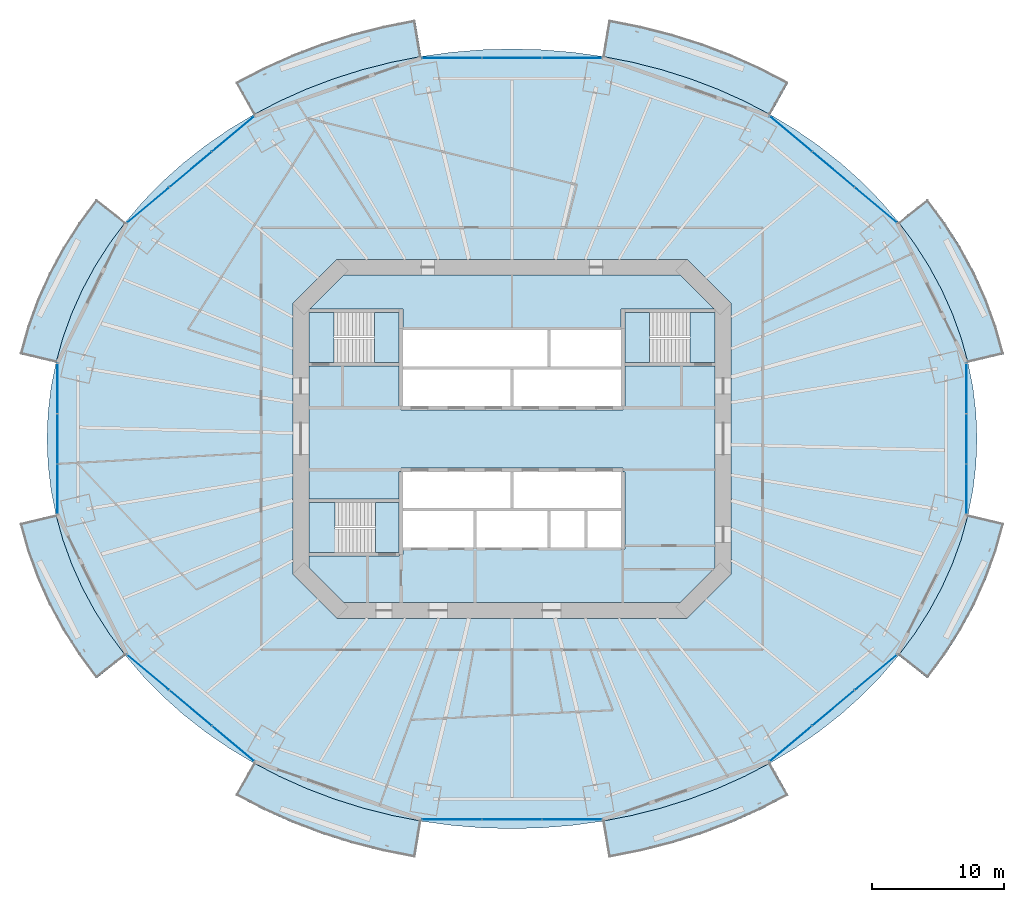
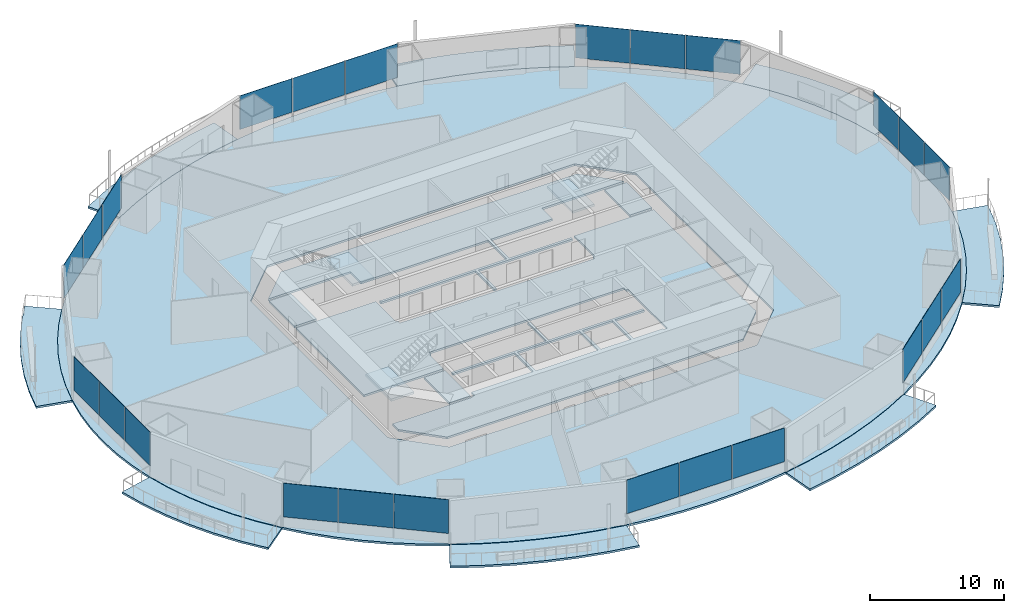
# One storey, part 12 of 22: 24 plates, 17 slabs, 11 elements without a shape of their own.
"""IFC4 building model written with IfcOpenShell, lengths in metres."""

from ifc_helpers import new_model, si_unit, direction, frame, origin, origin_2d, place, context, subcontext, project, spatial, polyline, rectangle, outline, extrude, material, layer, layer_set, type_object, element, aggregate, save


model = new_model("IFC4")

# Units and contexts
model_context = context("Model", 3, precision=1e-05, world=origin(), true_north=direction((0.0, 1.0)))
body_context = subcontext(model_context, "Body", "Model", "MODEL_VIEW")
ifc_project = project(units=[si_unit("LENGTHUNIT", "METRE"), si_unit("AREAUNIT", "SQUARE_METRE"), si_unit("VOLUMEUNIT", "CUBIC_METRE"), si_unit("PLANEANGLEUNIT", "RADIAN"), si_unit("MASSUNIT", "GRAM", prefix="KILO")], contexts=[model_context])

# Site, building, storey
site_placement = place(None, origin())
site = spatial("IfcSite", under=ifc_project, at=site_placement, CompositionType="ELEMENT")
building_placement = place(site_placement, origin())
building = spatial("IfcBuilding", under=site, at=building_placement, Name="Marenthal Gate Tower", CompositionType="ELEMENT")
storey_placement = place(building_placement, frame((0.0, 0.0, 91.10009765625)))
storey = spatial("IfcBuildingStorey", under=building, at=storey_placement, Name="L18", CompositionType="ELEMENT", Elevation=91.10009765625)

# Slabs
ifc_material_1 = material(Name="Concrete 40 MPa", Category="concrete")
ifc_layer_1 = layer(ifc_material_1, 0.179931640625)
ifc_layer_set_1 = layer_set([ifc_layer_1], Name="Balcony deck 180")
slab_type_1 = type_object("IfcSlabType", Name="Balcony deck 180", PredefinedType="USERDEFINED", material=ifc_layer_set_1)
slab_1_placement = place(storey_placement, frame((0.0, 0.0, -0.22021484375)))
element("IfcSlab", 1, at=slab_1_placement, inside=storey, type_object=slab_type_1, Name="Balcony deck L18 bay 1", ObjectType="BALCONY", PredefinedType="USERDEFINED", context=body_context, shape_type="SweptSolid", body=[
    extrude(outline(polyline([(34.553955078125, 5.7626953125), (34.030517578125, 7.64501953125), (33.361328125, 9.49462890625), (32.54931640625, 11.3037109375), (31.59765625, 13.064208984375), (30.510986328125, 14.76904296875), (29.29345703125, 16.410400390625), (31.483154296875, 18.155517578125), (32.81689453125, 16.35693359375), (34.01123046875, 14.48388671875), (35.0595703125, 12.5439453125), (35.95654296875, 10.54541015625), (36.697509765625, 8.497314453125), (37.2783203125, 6.408935546875), (34.553955078125, 5.7626953125)])), origin(), (0.0, 0.0, 1.0), 0.18017578125),
])
slab_2_placement = place(storey_placement, frame((0.0, 0.0, -0.22021484375)))
element("IfcSlab", 2, at=slab_2_placement, inside=storey, type_object=slab_type_1, Name="Balcony deck L18 bay 3", ObjectType="BALCONY", PredefinedType="USERDEFINED", context=body_context, shape_type="SweptSolid", body=[
    extrude(outline(polyline([(19.5732421875, 24.559814453125), (17.615478515625, 25.580810546875), (15.582275390625, 26.49169921875), (13.482421875, 27.28955078125), (11.32470703125, 27.970458984375), (9.118408203125, 28.531494140625), (6.873291015625, 28.970458984375), (7.333740234375, 31.732177734375), (9.732177734375, 31.263427734375), (12.091064453125, 30.66357421875), (14.40087890625, 29.9345703125), (16.652099609375, 29.079345703125), (18.83544921875, 28.10107421875), (20.94189453125, 27.002685546875), (19.5732421875, 24.559814453125)])), origin(), (0.0, 0.0, 1.0), 0.18017578125),
])
slab_3_placement = place(storey_placement, frame((0.0, 0.0, -0.22021484375)))
element("IfcSlab", 3, at=slab_3_placement, inside=storey, type_object=slab_type_1, Name="Balcony deck L18 bay 5", ObjectType="BALCONY", PredefinedType="USERDEFINED", context=body_context, shape_type="SweptSolid", body=[
    extrude(outline(polyline([(-6.873291015625, 28.970458984375), (-9.118408203125, 28.531494140625), (-11.32470703125, 27.970458984375), (-13.482421875, 27.28955078125), (-15.582275390625, 26.49169921875), (-17.615478515625, 25.580810546875), (-19.5732421875, 24.559814453125), (-20.94189453125, 27.002685546875), (-18.83544921875, 28.10107421875), (-16.652099609375, 29.079345703125), (-14.40087890625, 29.9345703125), (-12.091064453125, 30.66357421875), (-9.732177734375, 31.263427734375), (-7.333740234375, 31.732177734375), (-6.873291015625, 28.970458984375)])), origin(), (0.0, 0.0, 1.0), 0.18017578125),
])
slab_4_placement = place(storey_placement, frame((0.0, 0.0, -0.22021484375)))
element("IfcSlab", 4, at=slab_4_placement, inside=storey, type_object=slab_type_1, Name="Balcony deck L18 bay 7", ObjectType="BALCONY", PredefinedType="USERDEFINED", context=body_context, shape_type="SweptSolid", body=[
    extrude(outline(polyline([(-29.29345703125, 16.410400390625), (-30.510986328125, 14.76904296875), (-31.59765625, 13.064208984375), (-32.54931640625, 11.3037109375), (-33.361328125, 9.49462890625), (-34.030517578125, 7.64501953125), (-34.553955078125, 5.7626953125), (-37.2783203125, 6.408935546875), (-36.697509765625, 8.497314453125), (-35.95654296875, 10.54541015625), (-35.0595703125, 12.5439453125), (-34.01123046875, 14.48388671875), (-32.81689453125, 16.35693359375), (-31.483154296875, 18.155517578125), (-29.29345703125, 16.410400390625)])), origin(), (0.0, 0.0, 1.0), 0.18017578125),
])
slab_5_placement = place(storey_placement, frame((0.0, 0.0, -0.22021484375)))
element("IfcSlab", 5, at=slab_5_placement, inside=storey, type_object=slab_type_1, Name="Balcony deck L18 bay 9", ObjectType="BALCONY", PredefinedType="USERDEFINED", context=body_context, shape_type="SweptSolid", body=[
    extrude(outline(polyline([(-34.553955078125, -5.7626953125), (-34.030517578125, -7.64501953125), (-33.361328125, -9.49462890625), (-32.54931640625, -11.3037109375), (-31.59765625, -13.064208984375), (-30.510986328125, -14.76904296875), (-29.29345703125, -16.410400390625), (-31.483154296875, -18.155517578125), (-32.81689453125, -16.35693359375), (-34.01123046875, -14.48388671875), (-35.0595703125, -12.5439453125), (-35.95654296875, -10.54541015625), (-36.697509765625, -8.497314453125), (-37.2783203125, -6.408935546875), (-34.553955078125, -5.7626953125)])), origin(), (0.0, 0.0, 1.0), 0.18017578125),
])
slab_6_placement = place(storey_placement, frame((0.0, 0.0, -0.22021484375)))
element("IfcSlab", 6, at=slab_6_placement, inside=storey, type_object=slab_type_1, Name="Balcony deck L18 bay 11", ObjectType="BALCONY", PredefinedType="USERDEFINED", context=body_context, shape_type="SweptSolid", body=[
    extrude(outline(polyline([(-19.5732421875, -24.559814453125), (-17.615478515625, -25.580810546875), (-15.582275390625, -26.49169921875), (-13.482421875, -27.28955078125), (-11.32470703125, -27.970458984375), (-9.118408203125, -28.531494140625), (-6.873291015625, -28.970458984375), (-7.333740234375, -31.732177734375), (-9.732177734375, -31.263427734375), (-12.091064453125, -30.66357421875), (-14.40087890625, -29.9345703125), (-16.652099609375, -29.079345703125), (-18.83544921875, -28.10107421875), (-20.94189453125, -27.002685546875), (-19.5732421875, -24.559814453125)])), origin(), (0.0, 0.0, 1.0), 0.18017578125),
])
slab_7_placement = place(storey_placement, frame((0.0, 0.0, -0.22021484375)))
element("IfcSlab", 7, at=slab_7_placement, inside=storey, type_object=slab_type_1, Name="Balcony deck L18 bay 13", ObjectType="BALCONY", PredefinedType="USERDEFINED", context=body_context, shape_type="SweptSolid", body=[
    extrude(outline(polyline([(6.873291015625, -28.970458984375), (9.118408203125, -28.531494140625), (11.32470703125, -27.970458984375), (13.482421875, -27.28955078125), (15.582275390625, -26.49169921875), (17.615478515625, -25.580810546875), (19.5732421875, -24.559814453125), (20.94189453125, -27.002685546875), (18.83544921875, -28.10107421875), (16.652099609375, -29.079345703125), (14.40087890625, -29.9345703125), (12.091064453125, -30.66357421875), (9.732177734375, -31.263427734375), (7.333740234375, -31.732177734375), (6.873291015625, -28.970458984375)])), origin(), (0.0, 0.0, 1.0), 0.18017578125),
])
slab_8_placement = place(storey_placement, frame((0.0, 0.0, -0.22021484375)))
element("IfcSlab", 8, at=slab_8_placement, inside=storey, type_object=slab_type_1, Name="Balcony deck L18 bay 15", ObjectType="BALCONY", PredefinedType="USERDEFINED", context=body_context, shape_type="SweptSolid", body=[
    extrude(outline(polyline([(29.29345703125, -16.410400390625), (30.510986328125, -14.76904296875), (31.59765625, -13.064208984375), (32.54931640625, -11.3037109375), (33.361328125, -9.49462890625), (34.030517578125, -7.64501953125), (34.553955078125, -5.7626953125), (37.2783203125, -6.408935546875), (36.697509765625, -8.497314453125), (35.95654296875, -10.54541015625), (35.0595703125, -12.5439453125), (34.01123046875, -14.48388671875), (32.81689453125, -16.35693359375), (31.483154296875, -18.155517578125), (29.29345703125, -16.410400390625)])), origin(), (0.0, 0.0, 1.0), 0.18017578125),
])
ifc_material_2 = material(Name="Concrete 50 MPa", Category="concrete")
ifc_layer_2 = layer(ifc_material_2, 0.179931640625)
ifc_layer_set_2 = layer_set([ifc_layer_2], Name="Core floor slab 180")
slab_type_2 = type_object("IfcSlabType", Name="Core floor slab 180", PredefinedType="FLOOR", material=ifc_layer_set_2)
slab_9_placement = place(storey_placement, frame((0.0, 0.0, -0.18017578125)))
element("IfcSlab", 9, at=slab_9_placement, inside=storey, type_object=slab_type_2, Name="Core floor L18", PredefinedType="FLOOR", context=body_context, shape_type="SweptSolid", body=[
    extrude(outline(polyline([(15.39990234375, -9.75146484375), (12.75146484375, -12.39990234375), (-12.75146484375, -12.39990234375), (-15.39990234375, -9.75146484375), (-15.39990234375, -8.875), (-8.550048828125, -8.875), (-8.550048828125, -8.75), (-8.25, -8.75), (-8.25, -8.239990234375), (-5.60009765625, -8.239990234375), (-2.909912109375, -8.239990234375), (-2.909912109375, -5.4599609375), (-5.60009765625, -5.4599609375), (-8.25, -5.4599609375), (-8.25, -5.239990234375), (-5.60009765625, -5.239990234375), (-2.800048828125, -5.239990234375), (-0.110107421875, -5.239990234375), (-0.110107421875, -2.5), (0.110107421875, -2.5), (0.110107421875, -5.239990234375), (2.800048828125, -5.239990234375), (5.60009765625, -5.239990234375), (8.25, -5.239990234375), (8.25, -5.4599609375), (5.7099609375, -5.4599609375), (5.7099609375, -8.239990234375), (8.25, -8.239990234375), (8.25, -8.35009765625), (8.550048828125, -8.35009765625), (8.550048828125, -2.5), (8.39990234375, -2.5), (8.39990234375, -2.199951171875), (-8.39990234375, -2.199951171875), (-8.39990234375, -2.5), (-8.550048828125, -2.5), (-8.550048828125, -4.574951171875), (-15.39990234375, -4.574951171875), (-15.39990234375, 5.52490234375), (-8.550048828125, 5.52490234375), (-8.550048828125, 2.5), (-8.39990234375, 2.5), (-8.39990234375, 2.199951171875), (8.39990234375, 2.199951171875), (8.39990234375, 2.5), (8.550048828125, 2.5), (8.550048828125, 5.52490234375), (15.39990234375, 5.52490234375), (15.39990234375, -9.75146484375)]), holes=[polyline([(2.68994140625, -5.4599609375), (0.0, -5.4599609375), (-2.68994140625, -5.4599609375), (-2.68994140625, -8.239990234375), (0.0, -8.239990234375), (2.68994140625, -8.239990234375), (2.68994140625, -5.4599609375)]), polyline([(5.489990234375, -5.4599609375), (2.909912109375, -5.4599609375), (2.909912109375, -8.239990234375), (5.489990234375, -8.239990234375), (5.489990234375, -5.4599609375)])]), origin(), (0.0, 0.0, 1.0), 0.18017578125),
])
slab_10_placement = place(storey_placement, frame((0.0, 0.0, -0.18017578125)))
element("IfcSlab", 10, at=slab_10_placement, inside=storey, type_object=slab_type_2, Name="Core floor L18", PredefinedType="FLOOR", context=body_context, shape_type="SweptSolid", body=[
    extrude(outline(polyline([(15.39990234375, 5.77490234375), (13.5, 5.77490234375), (13.5, 9.574951171875), (15.39990234375, 9.574951171875), (15.39990234375, 5.77490234375)])), origin(), (0.0, 0.0, 1.0), 0.18017578125),
])
slab_11_placement = place(storey_placement, frame((0.0, 0.0, -0.18017578125)))
element("IfcSlab", 11, at=slab_11_placement, inside=storey, type_object=slab_type_2, Name="Core floor L18", PredefinedType="FLOOR", context=body_context, shape_type="SweptSolid", body=[
    extrude(outline(polyline([(12.75146484375, 12.39990234375), (15.326416015625, 9.824951171875), (8.550048828125, 9.824951171875), (8.25, 9.824951171875), (8.25, 8.35009765625), (8.25, 8.239990234375), (5.60009765625, 8.239990234375), (2.909912109375, 8.239990234375), (2.909912109375, 5.4599609375), (5.60009765625, 5.4599609375), (8.25, 5.4599609375), (8.25, 5.239990234375), (5.60009765625, 5.239990234375), (2.800048828125, 5.239990234375), (0.110107421875, 5.239990234375), (0.110107421875, 2.5), (-0.110107421875, 2.5), (-0.110107421875, 5.239990234375), (-2.800048828125, 5.239990234375), (-5.60009765625, 5.239990234375), (-8.25, 5.239990234375), (-8.25, 5.4599609375), (-5.60009765625, 5.4599609375), (-2.800048828125, 5.4599609375), (0.0, 5.4599609375), (2.68994140625, 5.4599609375), (2.68994140625, 8.239990234375), (0.0, 8.239990234375), (-2.800048828125, 8.239990234375), (-5.60009765625, 8.239990234375), (-8.25, 8.239990234375), (-8.25, 8.35009765625), (-8.25, 9.824951171875), (-8.550048828125, 9.824951171875), (-15.326416015625, 9.824951171875), (-12.75146484375, 12.39990234375), (12.75146484375, 12.39990234375)])), origin(), (0.0, 0.0, 1.0), 0.18017578125),
])
slab_12_placement = place(storey_placement, frame((0.0, 0.0, -0.18017578125)))
element("IfcSlab", 12, at=slab_12_placement, inside=storey, type_object=slab_type_2, Name="Core floor L18", PredefinedType="FLOOR", context=body_context, shape_type="SweptSolid", body=[
    extrude(outline(polyline([(-15.39990234375, 9.574951171875), (-13.5, 9.574951171875), (-13.5, 5.77490234375), (-15.39990234375, 5.77490234375), (-15.39990234375, 9.574951171875)])), origin(), (0.0, 0.0, 1.0), 0.18017578125),
])
slab_13_placement = place(storey_placement, frame((0.0, 0.0, -0.18017578125)))
element("IfcSlab", 13, at=slab_13_placement, inside=storey, type_object=slab_type_2, Name="Core floor L18", PredefinedType="FLOOR", context=body_context, shape_type="SweptSolid", body=[
    extrude(outline(polyline([(-8.550048828125, -8.625), (-10.35009765625, -8.625), (-10.35009765625, -4.824951171875), (-8.550048828125, -4.824951171875), (-8.550048828125, -8.625)])), origin(), (0.0, 0.0, 1.0), 0.18017578125),
])
ifc_material_3 = material(Name="Concrete 35 MPa", Category="concrete")
ifc_layer_3 = layer(ifc_material_3, 0.179931640625)
ifc_layer_set_3 = layer_set([ifc_layer_3], Name="Floor slab 180")
slab_type_3 = type_object("IfcSlabType", Name="Floor slab 180", PredefinedType="FLOOR", material=ifc_layer_set_3)
slab_14_placement = place(storey_placement, frame((0.0, 0.0, -0.18017578125)))
element("IfcSlab", 14, at=slab_14_placement, inside=storey, type_object=slab_type_3, Name="SL-L18-01", PredefinedType="FLOOR", context=body_context, shape_type="SweptSolid", body=[
    extrude(outline(polyline([(35.23095703125, 0.0), (35.155517578125, 1.931884765625), (34.9296875, 3.85546875), (34.553955078125, 5.7626953125), (34.030517578125, 7.64501953125), (33.361328125, 9.49462890625), (32.54931640625, 11.3037109375), (31.59765625, 13.064208984375), (30.510986328125, 14.76904296875), (29.29345703125, 16.410400390625), (27.95068359375, 17.981689453125), (26.488037109375, 19.475830078125), (24.912109375, 20.886474609375), (23.2294921875, 22.207763671875), (21.447265625, 23.43408203125), (19.5732421875, 24.559814453125), (17.615478515625, 25.580810546875), (15.582275390625, 26.49169921875), (13.482421875, 27.28955078125), (11.32470703125, 27.970458984375), (9.118408203125, 28.531494140625), (6.873291015625, 28.970458984375), (4.5986328125, 29.285400390625), (2.30419921875, 29.474853515625), (0.0, 29.5380859375), (-2.30419921875, 29.474853515625), (-4.5986328125, 29.285400390625), (-6.873291015625, 28.970458984375), (-9.118408203125, 28.531494140625), (-11.32470703125, 27.970458984375), (-13.482421875, 27.28955078125), (-15.582275390625, 26.49169921875), (-17.615478515625, 25.580810546875), (-19.5732421875, 24.559814453125), (-21.447265625, 23.43408203125), (-23.2294921875, 22.207763671875), (-24.912109375, 20.886474609375), (-26.488037109375, 19.475830078125), (-27.95068359375, 17.981689453125), (-29.29345703125, 16.410400390625), (-30.510986328125, 14.76904296875), (-31.59765625, 13.064208984375), (-32.54931640625, 11.3037109375), (-33.361328125, 9.49462890625), (-34.030517578125, 7.64501953125), (-34.553955078125, 5.7626953125), (-34.9296875, 3.85546875), (-35.155517578125, 1.931884765625), (-35.23095703125, 0.0), (-35.155517578125, -1.931884765625), (-34.9296875, -3.85546875), (-34.553955078125, -5.7626953125), (-34.030517578125, -7.64501953125), (-33.361328125, -9.49462890625), (-32.54931640625, -11.3037109375), (-31.59765625, -13.064208984375), (-30.510986328125, -14.76904296875), (-29.29345703125, -16.410400390625), (-27.95068359375, -17.981689453125), (-26.488037109375, -19.475830078125), (-24.912109375, -20.886474609375), (-23.2294921875, -22.207763671875), (-21.447265625, -23.43408203125), (-19.5732421875, -24.559814453125), (-17.615478515625, -25.580810546875), (-15.582275390625, -26.49169921875), (-13.482421875, -27.28955078125), (-11.32470703125, -27.970458984375), (-9.118408203125, -28.531494140625), (-6.873291015625, -28.970458984375), (-4.5986328125, -29.285400390625), (-2.30419921875, -29.474853515625), (0.0, -29.5380859375), (2.30419921875, -29.474853515625), (4.5986328125, -29.285400390625), (6.873291015625, -28.970458984375), (9.118408203125, -28.531494140625), (11.32470703125, -27.970458984375), (13.482421875, -27.28955078125), (15.582275390625, -26.49169921875), (17.615478515625, -25.580810546875), (19.5732421875, -24.559814453125), (21.447265625, -23.43408203125), (23.2294921875, -22.207763671875), (24.912109375, -20.886474609375), (26.488037109375, -19.475830078125), (27.95068359375, -17.981689453125), (29.29345703125, -16.410400390625), (30.510986328125, -14.76904296875), (31.59765625, -13.064208984375), (32.54931640625, -11.3037109375), (33.361328125, -9.49462890625), (34.030517578125, -7.64501953125), (34.553955078125, -5.7626953125), (34.9296875, -3.85546875), (35.155517578125, -1.931884765625), (35.23095703125, 0.0)]), holes=[polyline([(13.24853515625, -13.60009765625), (16.60009765625, -10.24853515625), (16.60009765625, 10.24853515625), (13.24853515625, 13.60009765625), (-13.24853515625, 13.60009765625), (-16.60009765625, 10.24853515625), (-16.60009765625, -10.24853515625), (-13.24853515625, -13.60009765625), (13.24853515625, -13.60009765625)])]), origin(), (0.0, 0.0, 1.0), 0.18017578125),
])

# Curtain wall, plates
ifc_material_4 = material(Name="Aluminium and glass", Category="aluminium")
curtain_wall_type = type_object("IfcCurtainWallType", Name="Curtain wall typical low", PredefinedType="NOTDEFINED", material=ifc_material_4)
curtain_wall_1_placement = place(storey_placement, origin())
curtain_wall_1 = element("IfcCurtainWall", 15, at=curtain_wall_1_placement, inside=storey, type_object=curtain_wall_type, Name="Curtain wall L18 bay 2", PredefinedType="NOTDEFINED")
ifc_material_5 = material(Name="Glass, laminated insulating unit", Category="glass")
ifc_layer_4 = layer(ifc_material_5, 0.030029296875)
ifc_layer_set_4 = layer_set([ifc_layer_4], Name="Glass panel 30 typical low")
plate_type = type_object("IfcPlateType", Name="Glass panel 30 typical low", PredefinedType="CURTAIN_PANEL", material=ifc_layer_set_4)
plate_1_placement = place(storey_placement, frame((27.56396484375, 17.70947265625, 0.89990234375), z_axis=(0.0, 0.0, 1.0), x_axis=(-0.766513427604, 0.642228281301, 0.0)))
plate_1 = element("IfcPlate", 16, at=plate_1_placement, type_object=plate_type, Name="Glass panel L18 bay 2.1", PredefinedType="CURTAIN_PANEL", context=body_context, shape_type="SweptSolid", body=[
    extrude(rectangle(XDim=4.132568359375, YDim=0.030029296875, at=origin_2d()), origin(), (0.0, 0.0, 1.0), 3.070068359375),
])
plate_2_placement = place(storey_placement, frame((24.35009765625, 20.40185546875, 0.89990234375), z_axis=(0.0, 0.0, 1.0), x_axis=(-0.766513427604, 0.642228281301, 0.0)))
plate_2 = element("IfcPlate", 17, at=plate_2_placement, type_object=plate_type, Name="Glass panel L18 bay 2.2", PredefinedType="CURTAIN_PANEL", context=body_context, shape_type="SweptSolid", body=[
    extrude(rectangle(XDim=4.132568359375, YDim=0.030029296875, at=origin_2d()), origin(), (0.0, 0.0, 1.0), 3.070068359375),
])
plate_3_placement = place(storey_placement, frame((21.136474609375, 23.0947265625, 0.89990234375), z_axis=(0.0, 0.0, 1.0), x_axis=(-0.766513427604, 0.642228281301, 0.0)))
plate_3 = element("IfcPlate", 18, at=plate_3_placement, type_object=plate_type, Name="Glass panel L18 bay 2.3", PredefinedType="CURTAIN_PANEL", context=body_context, shape_type="SweptSolid", body=[
    extrude(rectangle(XDim=4.1328125, YDim=0.030029296875, at=origin_2d()), origin(), (0.0, 0.0, 1.0), 3.070068359375),
])
aggregate(curtain_wall_1, [plate_1, plate_2, plate_3])

curtain_wall_2_placement = place(storey_placement, origin())
curtain_wall_2 = element("IfcCurtainWall", 19, at=curtain_wall_2_placement, inside=storey, type_object=curtain_wall_type, Name="Curtain wall L18 bay 4", PredefinedType="NOTDEFINED")
plate_4_placement = place(storey_placement, frame((4.546630859375, 28.852783203125, 0.89990234375), z_axis=(0.0, 0.0, 1.0), x_axis=(-1.0, 0.0, 0.0)))
plate_4 = element("IfcPlate", 20, at=plate_4_placement, type_object=plate_type, Name="Glass panel L18 bay 4.1", PredefinedType="CURTAIN_PANEL", context=body_context, shape_type="SweptSolid", body=[
    extrude(rectangle(XDim=4.486572265625, YDim=0.030029296875, at=origin_2d()), origin(), (0.0, 0.0, 1.0), 3.070068359375),
])
plate_5_placement = place(storey_placement, frame((0.0, 28.852783203125, 0.89990234375), z_axis=(0.0, 0.0, 1.0), x_axis=(-1.0, 0.0, 0.0)))
plate_5 = element("IfcPlate", 21, at=plate_5_placement, type_object=plate_type, Name="Glass panel L18 bay 4.2", PredefinedType="CURTAIN_PANEL", context=body_context, shape_type="SweptSolid", body=[
    extrude(rectangle(XDim=4.486572265625, YDim=0.030029296875, at=origin_2d()), origin(), (0.0, 0.0, 1.0), 3.070068359375),
])
plate_6_placement = place(storey_placement, frame((-4.546630859375, 28.852783203125, 0.89990234375), z_axis=(0.0, 0.0, 1.0), x_axis=(-1.0, 0.0, 0.0)))
plate_6 = element("IfcPlate", 22, at=plate_6_placement, type_object=plate_type, Name="Glass panel L18 bay 4.3", PredefinedType="CURTAIN_PANEL", context=body_context, shape_type="SweptSolid", body=[
    extrude(rectangle(XDim=4.486572265625, YDim=0.030029296875, at=origin_2d()), origin(), (0.0, 0.0, 1.0), 3.070068359375),
])
aggregate(curtain_wall_2, [plate_4, plate_5, plate_6])

curtain_wall_3_placement = place(storey_placement, origin())
curtain_wall_3 = element("IfcCurtainWall", 23, at=curtain_wall_3_placement, inside=storey, type_object=curtain_wall_type, Name="Curtain wall L18 bay 6", PredefinedType="NOTDEFINED")
plate_7_placement = place(storey_placement, frame((-21.136474609375, 23.0947265625, 0.89990234375), z_axis=(0.0, 0.0, 1.0), x_axis=(-0.766513427604, -0.642228281301, 0.0)))
plate_7 = element("IfcPlate", 24, at=plate_7_placement, type_object=plate_type, Name="Glass panel L18 bay 6.1", PredefinedType="CURTAIN_PANEL", context=body_context, shape_type="SweptSolid", body=[
    extrude(rectangle(XDim=4.132568359375, YDim=0.030029296875, at=origin_2d()), origin(), (0.0, 0.0, 1.0), 3.070068359375),
])
plate_8_placement = place(storey_placement, frame((-24.35009765625, 20.402099609375, 0.89990234375), z_axis=(0.0, 0.0, 1.0), x_axis=(-0.766513427604, -0.642228281301, 0.0)))
plate_8 = element("IfcPlate", 25, at=plate_8_placement, type_object=plate_type, Name="Glass panel L18 bay 6.2", PredefinedType="CURTAIN_PANEL", context=body_context, shape_type="SweptSolid", body=[
    extrude(rectangle(XDim=4.132568359375, YDim=0.030029296875, at=origin_2d()), origin(), (0.0, 0.0, 1.0), 3.070068359375),
])
plate_9_placement = place(storey_placement, frame((-27.56396484375, 17.70947265625, 0.89990234375), z_axis=(0.0, 0.0, 1.0), x_axis=(-0.766513427604, -0.642228281301, 0.0)))
plate_9 = element("IfcPlate", 26, at=plate_9_placement, type_object=plate_type, Name="Glass panel L18 bay 6.3", PredefinedType="CURTAIN_PANEL", context=body_context, shape_type="SweptSolid", body=[
    extrude(rectangle(XDim=4.1328125, YDim=0.030029296875, at=origin_2d()), origin(), (0.0, 0.0, 1.0), 3.070068359375),
])
aggregate(curtain_wall_3, [plate_7, plate_8, plate_9])

curtain_wall_4_placement = place(storey_placement, origin())
curtain_wall_4 = element("IfcCurtainWall", 27, at=curtain_wall_4_placement, inside=storey, type_object=curtain_wall_type, Name="Curtain wall L18 bay 8", PredefinedType="NOTDEFINED")
plate_10_placement = place(storey_placement, frame((-34.436279296875, 3.80615234375, 0.89990234375), z_axis=(0.0, 0.0, 1.0), x_axis=(0.0, -1.0, 0.0)))
plate_10 = element("IfcPlate", 28, at=plate_10_placement, type_object=plate_type, Name="Glass panel L18 bay 8.1", PredefinedType="CURTAIN_PANEL", context=body_context, shape_type="SweptSolid", body=[
    extrude(rectangle(XDim=3.74609375, YDim=0.030029296875, at=origin_2d()), origin(), (0.0, 0.0, 1.0), 3.070068359375),
])
plate_11_placement = place(storey_placement, frame((-34.436279296875, 0.0, 0.89990234375), z_axis=(0.0, 0.0, 1.0), x_axis=(0.0, -1.0, 0.0)))
plate_11 = element("IfcPlate", 29, at=plate_11_placement, type_object=plate_type, Name="Glass panel L18 bay 8.2", PredefinedType="CURTAIN_PANEL", context=body_context, shape_type="SweptSolid", body=[
    extrude(rectangle(XDim=3.74609375, YDim=0.030029296875, at=origin_2d()), origin(), (0.0, 0.0, 1.0), 3.070068359375),
])
plate_12_placement = place(storey_placement, frame((-34.436279296875, -3.80615234375, 0.89990234375), z_axis=(0.0, 0.0, 1.0), x_axis=(0.0, -1.0, 0.0)))
plate_12 = element("IfcPlate", 30, at=plate_12_placement, type_object=plate_type, Name="Glass panel L18 bay 8.3", PredefinedType="CURTAIN_PANEL", context=body_context, shape_type="SweptSolid", body=[
    extrude(rectangle(XDim=3.74609375, YDim=0.030029296875, at=origin_2d()), origin(), (0.0, 0.0, 1.0), 3.070068359375),
])
aggregate(curtain_wall_4, [plate_10, plate_11, plate_12])

curtain_wall_5_placement = place(storey_placement, origin())
curtain_wall_5 = element("IfcCurtainWall", 31, at=curtain_wall_5_placement, inside=storey, type_object=curtain_wall_type, Name="Curtain wall L18 bay 10", PredefinedType="NOTDEFINED")
plate_13_placement = place(storey_placement, frame((-27.56396484375, -17.70947265625, 0.89990234375), z_axis=(0.0, 0.0, 1.0), x_axis=(0.766513427604, -0.642228281301, 0.0)))
plate_13 = element("IfcPlate", 32, at=plate_13_placement, type_object=plate_type, Name="Glass panel L18 bay 10.1", PredefinedType="CURTAIN_PANEL", context=body_context, shape_type="SweptSolid", body=[
    extrude(rectangle(XDim=4.132568359375, YDim=0.030029296875, at=origin_2d()), origin(), (0.0, 0.0, 1.0), 3.070068359375),
])
plate_14_placement = place(storey_placement, frame((-24.35009765625, -20.40185546875, 0.89990234375), z_axis=(0.0, 0.0, 1.0), x_axis=(0.766513427604, -0.642228281301, 0.0)))
plate_14 = element("IfcPlate", 33, at=plate_14_placement, type_object=plate_type, Name="Glass panel L18 bay 10.2", PredefinedType="CURTAIN_PANEL", context=body_context, shape_type="SweptSolid", body=[
    extrude(rectangle(XDim=4.132568359375, YDim=0.030029296875, at=origin_2d()), origin(), (0.0, 0.0, 1.0), 3.070068359375),
])
plate_15_placement = place(storey_placement, frame((-21.136474609375, -23.0947265625, 0.89990234375), z_axis=(0.0, 0.0, 1.0), x_axis=(0.766513427604, -0.642228281301, 0.0)))
plate_15 = element("IfcPlate", 34, at=plate_15_placement, type_object=plate_type, Name="Glass panel L18 bay 10.3", PredefinedType="CURTAIN_PANEL", context=body_context, shape_type="SweptSolid", body=[
    extrude(rectangle(XDim=4.1328125, YDim=0.030029296875, at=origin_2d()), origin(), (0.0, 0.0, 1.0), 3.070068359375),
])
aggregate(curtain_wall_5, [plate_13, plate_14, plate_15])

curtain_wall_6_placement = place(storey_placement, origin())
curtain_wall_6 = element("IfcCurtainWall", 35, at=curtain_wall_6_placement, inside=storey, type_object=curtain_wall_type, Name="Curtain wall L18 bay 12", PredefinedType="NOTDEFINED")
plate_16_placement = place(storey_placement, frame((-4.546630859375, -28.852783203125, 0.89990234375), z_axis=(0.0, 0.0, 1.0), x_axis=(1.0, 0.0, 0.0)))
plate_16 = element("IfcPlate", 36, at=plate_16_placement, type_object=plate_type, Name="Glass panel L18 bay 12.1", PredefinedType="CURTAIN_PANEL", context=body_context, shape_type="SweptSolid", body=[
    extrude(rectangle(XDim=4.486572265625, YDim=0.030029296875, at=origin_2d()), origin(), (0.0, 0.0, 1.0), 3.070068359375),
])
plate_17_placement = place(storey_placement, frame((0.0, -28.852783203125, 0.89990234375), z_axis=(0.0, 0.0, 1.0), x_axis=(1.0, 0.0, 0.0)))
plate_17 = element("IfcPlate", 37, at=plate_17_placement, type_object=plate_type, Name="Glass panel L18 bay 12.2", PredefinedType="CURTAIN_PANEL", context=body_context, shape_type="SweptSolid", body=[
    extrude(rectangle(XDim=4.486572265625, YDim=0.030029296875, at=origin_2d()), origin(), (0.0, 0.0, 1.0), 3.070068359375),
])
plate_18_placement = place(storey_placement, frame((4.546630859375, -28.852783203125, 0.89990234375), z_axis=(0.0, 0.0, 1.0), x_axis=(1.0, 0.0, 0.0)))
plate_18 = element("IfcPlate", 38, at=plate_18_placement, type_object=plate_type, Name="Glass panel L18 bay 12.3", PredefinedType="CURTAIN_PANEL", context=body_context, shape_type="SweptSolid", body=[
    extrude(rectangle(XDim=4.486572265625, YDim=0.030029296875, at=origin_2d()), origin(), (0.0, 0.0, 1.0), 3.070068359375),
])
aggregate(curtain_wall_6, [plate_16, plate_17, plate_18])

curtain_wall_7_placement = place(storey_placement, origin())
curtain_wall_7 = element("IfcCurtainWall", 39, at=curtain_wall_7_placement, inside=storey, type_object=curtain_wall_type, Name="Curtain wall L18 bay 14", PredefinedType="NOTDEFINED")
plate_19_placement = place(storey_placement, frame((21.136474609375, -23.0947265625, 0.89990234375), z_axis=(0.0, 0.0, 1.0), x_axis=(0.766513427604, 0.642228281301, 0.0)))
plate_19 = element("IfcPlate", 40, at=plate_19_placement, type_object=plate_type, Name="Glass panel L18 bay 14.1", PredefinedType="CURTAIN_PANEL", context=body_context, shape_type="SweptSolid", body=[
    extrude(rectangle(XDim=4.132568359375, YDim=0.030029296875, at=origin_2d()), origin(), (0.0, 0.0, 1.0), 3.070068359375),
])
plate_20_placement = place(storey_placement, frame((24.35009765625, -20.402099609375, 0.89990234375), z_axis=(0.0, 0.0, 1.0), x_axis=(0.766513427604, 0.642228281301, 0.0)))
plate_20 = element("IfcPlate", 41, at=plate_20_placement, type_object=plate_type, Name="Glass panel L18 bay 14.2", PredefinedType="CURTAIN_PANEL", context=body_context, shape_type="SweptSolid", body=[
    extrude(rectangle(XDim=4.132568359375, YDim=0.030029296875, at=origin_2d()), origin(), (0.0, 0.0, 1.0), 3.070068359375),
])
plate_21_placement = place(storey_placement, frame((27.56396484375, -17.70947265625, 0.89990234375), z_axis=(0.0, 0.0, 1.0), x_axis=(0.766513427604, 0.642228281301, 0.0)))
plate_21 = element("IfcPlate", 42, at=plate_21_placement, type_object=plate_type, Name="Glass panel L18 bay 14.3", PredefinedType="CURTAIN_PANEL", context=body_context, shape_type="SweptSolid", body=[
    extrude(rectangle(XDim=4.1328125, YDim=0.030029296875, at=origin_2d()), origin(), (0.0, 0.0, 1.0), 3.070068359375),
])
aggregate(curtain_wall_7, [plate_19, plate_20, plate_21])

curtain_wall_8_placement = place(storey_placement, origin())
curtain_wall_8 = element("IfcCurtainWall", 43, at=curtain_wall_8_placement, inside=storey, type_object=curtain_wall_type, Name="Curtain wall L18 bay 16", PredefinedType="NOTDEFINED")
plate_22_placement = place(storey_placement, frame((34.436279296875, -3.80615234375, 0.89990234375), z_axis=(0.0, 0.0, 1.0), x_axis=(0.0, 1.0, 0.0)))
plate_22 = element("IfcPlate", 44, at=plate_22_placement, type_object=plate_type, Name="Glass panel L18 bay 16.1", PredefinedType="CURTAIN_PANEL", context=body_context, shape_type="SweptSolid", body=[
    extrude(rectangle(XDim=3.74609375, YDim=0.030029296875, at=origin_2d()), origin(), (0.0, 0.0, 1.0), 3.070068359375),
])
plate_23_placement = place(storey_placement, frame((34.436279296875, 0.0, 0.89990234375), z_axis=(0.0, 0.0, 1.0), x_axis=(0.0, 1.0, 0.0)))
plate_23 = element("IfcPlate", 45, at=plate_23_placement, type_object=plate_type, Name="Glass panel L18 bay 16.2", PredefinedType="CURTAIN_PANEL", context=body_context, shape_type="SweptSolid", body=[
    extrude(rectangle(XDim=3.74609375, YDim=0.030029296875, at=origin_2d()), origin(), (0.0, 0.0, 1.0), 3.070068359375),
])
plate_24_placement = place(storey_placement, frame((34.436279296875, 3.80615234375, 0.89990234375), z_axis=(0.0, 0.0, 1.0), x_axis=(0.0, 1.0, 0.0)))
plate_24 = element("IfcPlate", 46, at=plate_24_placement, type_object=plate_type, Name="Glass panel L18 bay 16.3", PredefinedType="CURTAIN_PANEL", context=body_context, shape_type="SweptSolid", body=[
    extrude(rectangle(XDim=3.74609375, YDim=0.030029296875, at=origin_2d()), origin(), (0.0, 0.0, 1.0), 3.070068359375),
])
aggregate(curtain_wall_8, [plate_22, plate_23, plate_24])

# Stair, slab
ifc_material_6 = material(Name="Concrete 40 MPa", Category="concrete")
stair_type = type_object("IfcStairType", Name="Exit stair 1800", PredefinedType="HALF_TURN_STAIR", material=ifc_material_6)
stair_1_placement = place(storey_placement, origin())
stair_1 = element("IfcStair", 47, at=stair_1_placement, inside=storey, type_object=stair_type, Name="Stair ST1", PredefinedType="HALF_TURN_STAIR")
ifc_material_7 = material(Name="Concrete 40 MPa", Category="concrete")
ifc_layer_5 = layer(ifc_material_7, 0.199951171875)
ifc_layer_set_5 = layer_set([ifc_layer_5], Name="Stair landing 200")
slab_type_4 = type_object("IfcSlabType", Name="Stair landing 200", PredefinedType="LANDING", material=ifc_layer_set_5)
slab_15_placement = place(storey_placement, frame((0.0, 0.0, 1.875)))
slab_15 = element("IfcSlab", 48, at=slab_15_placement, type_object=slab_type_4, Name="ST1 landing 1", PredefinedType="LANDING", context=body_context, shape_type="SweptSolid", body=[
    extrude(outline(polyline([(-10.419921875, 5.77490234375), (-8.550048828125, 5.77490234375), (-8.550048828125, 9.574951171875), (-10.419921875, 9.574951171875), (-10.419921875, 5.77490234375)])), origin(), (0.0, 0.0, 1.0), 0.199951171875),
])
aggregate(stair_1, [slab_15])

stair_2_placement = place(storey_placement, origin())
stair_2 = element("IfcStair", 49, at=stair_2_placement, inside=storey, type_object=stair_type, Name="Stair ST2", PredefinedType="HALF_TURN_STAIR")
slab_16_placement = place(storey_placement, frame((0.0, 0.0, 1.875)))
slab_16 = element("IfcSlab", 50, at=slab_16_placement, type_object=slab_type_4, Name="ST2 landing 1", PredefinedType="LANDING", context=body_context, shape_type="SweptSolid", body=[
    extrude(outline(polyline([(-15.39990234375, -8.625), (-13.429931640625, -8.625), (-13.429931640625, -4.824951171875), (-15.39990234375, -4.824951171875), (-15.39990234375, -8.625)])), origin(), (0.0, 0.0, 1.0), 0.199951171875),
])
aggregate(stair_2, [slab_16])

stair_3_placement = place(storey_placement, origin())
stair_3 = element("IfcStair", 51, at=stair_3_placement, inside=storey, type_object=stair_type, Name="Stair ST3", PredefinedType="HALF_TURN_STAIR")
slab_17_placement = place(storey_placement, frame((0.0, 0.0, 1.875)))
slab_17 = element("IfcSlab", 52, at=slab_17_placement, type_object=slab_type_4, Name="ST3 landing 1", PredefinedType="LANDING", context=body_context, shape_type="SweptSolid", body=[
    extrude(outline(polyline([(8.550048828125, 5.77490234375), (10.419921875, 5.77490234375), (10.419921875, 9.574951171875), (8.550048828125, 9.574951171875), (8.550048828125, 5.77490234375)])), origin(), (0.0, 0.0, 1.0), 0.199951171875),
])
aggregate(stair_3, [slab_17])

save(model, "model.ifc")
